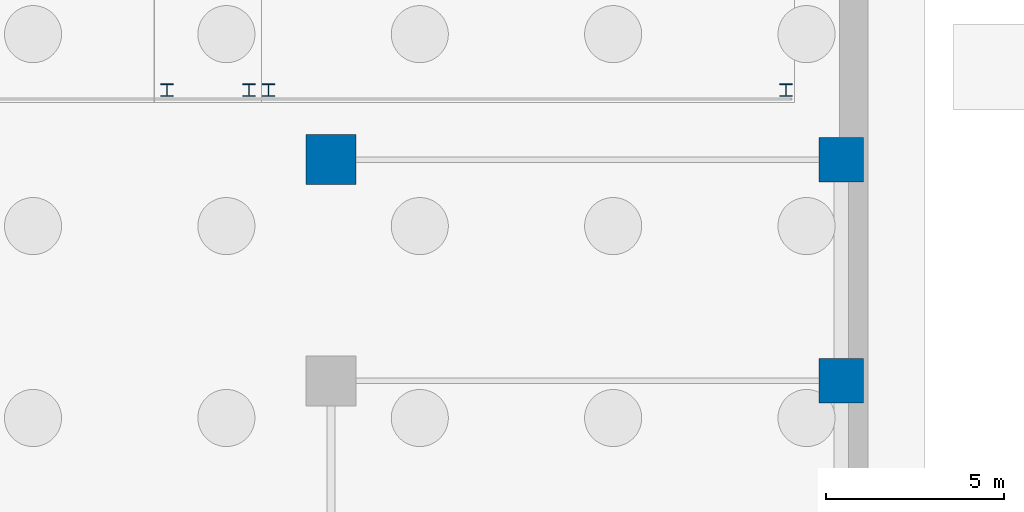
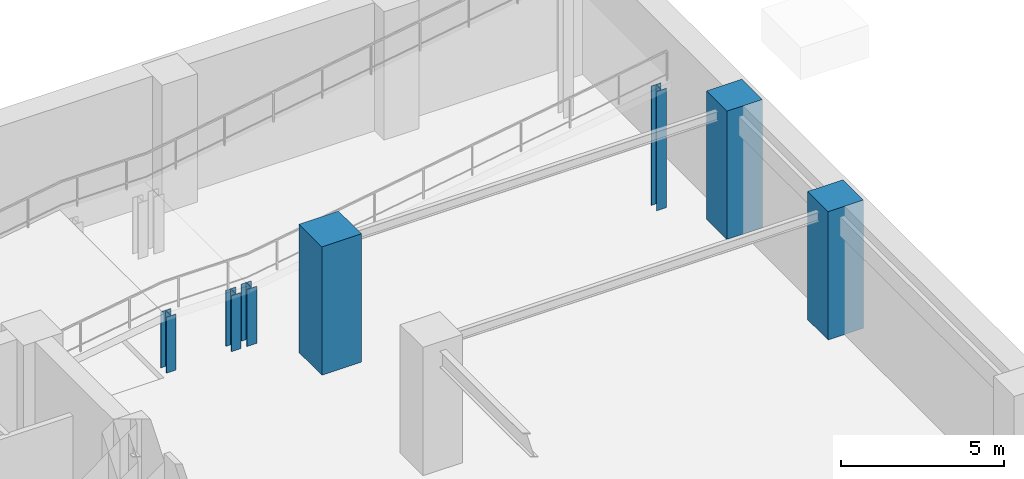
# One storey, part 3 of 13: 7 columns.
"""IFC4 building model written with IfcOpenShell, lengths in metres."""

from ifc_helpers import new_model, si_unit, direction, frame, origin, origin_2d, place, context, subcontext, project, spatial, rectangle, i_section, extrude, material, material_profile, profile_set, type_object, element, save


model = new_model("IFC4")

# Units and contexts
model_context = context("Model", 3, precision=1e-05, world=origin(), true_north=direction((0.0, 1.0)))
body_context = subcontext(model_context, "Body", "Model", "MODEL_VIEW")
ifc_project = project(units=[si_unit("LENGTHUNIT", "METRE"), si_unit("AREAUNIT", "SQUARE_METRE"), si_unit("VOLUMEUNIT", "CUBIC_METRE"), si_unit("PLANEANGLEUNIT", "RADIAN"), si_unit("MASSUNIT", "GRAM", prefix="KILO")], contexts=[model_context])

# Site, building, storey
site_placement = place(None, origin())
site = spatial("IfcSite", under=ifc_project, at=site_placement, CompositionType="ELEMENT")
building_placement = place(site_placement, origin())
building = spatial("IfcBuilding", under=site, at=building_placement, Name="Svetorya Sky Lyceum", CompositionType="ELEMENT")
storey_placement = place(building_placement, frame((0.0, 0.0, -4.800048828125)))
storey = spatial("IfcBuildingStorey", under=building, at=storey_placement, Name="B01", CompositionType="ELEMENT", Elevation=-4.800048828125)

# Columns
ifc_material_1 = material(Name="Concrete C60/75", Category="concrete")
ifc_material_profile_1 = material_profile(ifc_material_1, rectangle(XDim=1.25, YDim=1.25, at=origin_2d()), Name="RC COL 1250x1250")
ifc_profile_set_1 = profile_set([ifc_material_profile_1], Name="Concrete C60/75")
column_type_1 = type_object("IfcColumnType", Name="COL-RC-1250", PredefinedType="COLUMN", material=ifc_profile_set_1)
for number, where, z_axis, x_axis, name in (
    (1, (77.64990234375, 39.60009765625, 0.0), (0.0, 0.0, 1.0), (1.0, 0.0, 0.0), "B01 Podium Column PC-0905"),
    (2, (77.64990234375, 45.800048828125, 0.0), (0.0, 0.0, 1.0), (1.0, 0.0, 0.0), "B01 Podium Column PC-0906"),
):
    element("IfcColumn", number, at=place(storey_placement, frame(where, z_axis=z_axis, x_axis=x_axis)), inside=storey, type_object=column_type_1, Name=name, PredefinedType="COLUMN", context=body_context, shape_type="SweptSolid", body=[
        extrude(rectangle(XDim=1.25, YDim=1.25, at=origin_2d()), origin(), (0.0, 0.0, 1.0), 4.800048828125),
    ])
ifc_material_profile_2 = material_profile(ifc_material_1, rectangle(XDim=1.39990234375, YDim=1.39990234375, at=origin_2d()), Name="RC COL 1400x1400")
ifc_profile_set_2 = profile_set([ifc_material_profile_2], Name="Concrete C60/75")
column_type_2 = type_object("IfcColumnType", Name="COL-RC-1400", PredefinedType="COLUMN", material=ifc_profile_set_2)
column_1_placement = place(storey_placement, frame((63.35009765625, 45.800048828125, 0.0), z_axis=(0.0, 0.0, 1.0), x_axis=(1.0, 0.0, 0.0)))
element("IfcColumn", 3, at=column_1_placement, inside=storey, type_object=column_type_2, Name="B01 Podium Tower-Line Column E5", PredefinedType="COLUMN", context=body_context, shape_type="SweptSolid", body=[
    extrude(rectangle(XDim=1.39990234375, YDim=1.39990234375, at=origin_2d()), origin(), (0.0, 0.0, 1.0), 4.800048828125),
])
ifc_material_2 = material(Name="Steel S355", Category="steel")
ifc_material_profile_3 = material_profile(ifc_material_2, i_section(OverallWidth=0.35009765625, OverallDepth=0.35205078125, WebThickness=0.012939453125, FlangeThickness=0.02099609375, at=origin_2d()), Name="GOST 35K2")
ifc_profile_set_3 = profile_set([ifc_material_profile_3], Name="Steel S355")
column_type_3 = type_object("IfcColumnType", Name="COL-STL-35K2", PredefinedType="COLUMN", material=ifc_profile_set_3)
for number, where, z_axis, x_axis, name in (
    (4, (58.75, 47.75, 0.0), (0.0, 0.0, 1.0), (1.0, 0.0, 0.0), "Vehicle Ramp Support Column 1.1"),
    (5, (61.050048828125, 47.75, 0.0), (0.0, 0.0, 1.0), (1.0, 0.0, 0.0), "Vehicle Ramp Support Column 2.1"),
):
    element("IfcColumn", number, at=place(storey_placement, frame(where, z_axis=z_axis, x_axis=x_axis)), inside=storey, type_object=column_type_3, Name=name, PredefinedType="COLUMN", context=body_context, shape_type="SweptSolid", body=[
        extrude(i_section(OverallWidth=0.35009765625, OverallDepth=0.35205078125, WebThickness=0.012939453125, FlangeThickness=0.02099609375, at=origin_2d()), origin(), (0.0, 0.0, 1.0), 2.090087890625),
    ])
column_2_placement = place(storey_placement, frame((61.60009765625, 47.75, 0.0), z_axis=(0.0, 0.0, 1.0), x_axis=(1.0, 0.0, 0.0)))
element("IfcColumn", 6, at=column_2_placement, inside=storey, type_object=column_type_3, Name="Vehicle Ramp Support Column 3.1", PredefinedType="COLUMN", context=body_context, shape_type="SweptSolid", body=[
    extrude(i_section(OverallWidth=0.35009765625, OverallDepth=0.35205078125, WebThickness=0.012939453125, FlangeThickness=0.02099609375, at=origin_2d()), origin(), (0.0, 0.0, 1.0), 2.130126953125),
])
column_3_placement = place(storey_placement, frame((76.10009765625, 47.75, 0.0), z_axis=(0.0, 0.0, 1.0), x_axis=(1.0, 0.0, 0.0)))
element("IfcColumn", 7, at=column_3_placement, inside=storey, type_object=column_type_3, Name="Vehicle Ramp Support Column 4.1", PredefinedType="COLUMN", context=body_context, shape_type="SweptSolid", body=[
    extrude(i_section(OverallWidth=0.35009765625, OverallDepth=0.35205078125, WebThickness=0.012939453125, FlangeThickness=0.02099609375, at=origin_2d()), origin(), (0.0, 0.0, 1.0), 4.4599609375),
])

save(model, "model.ifc")
